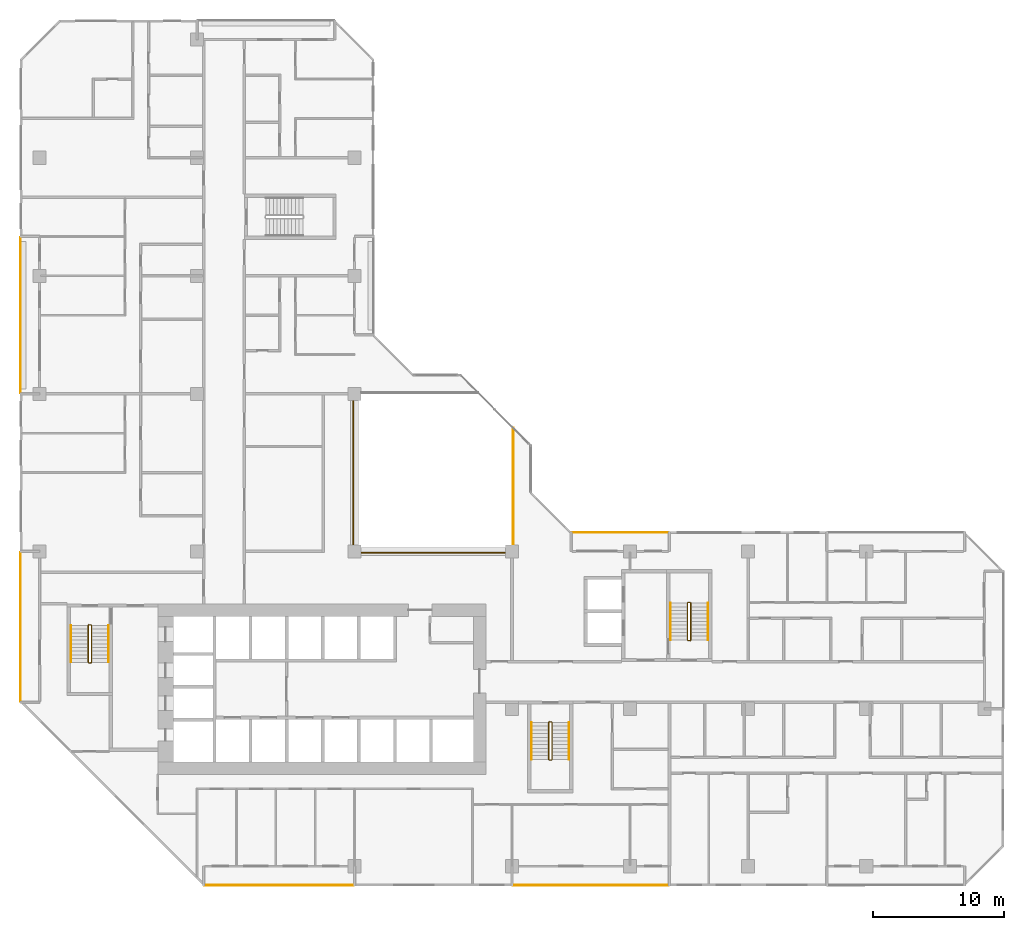
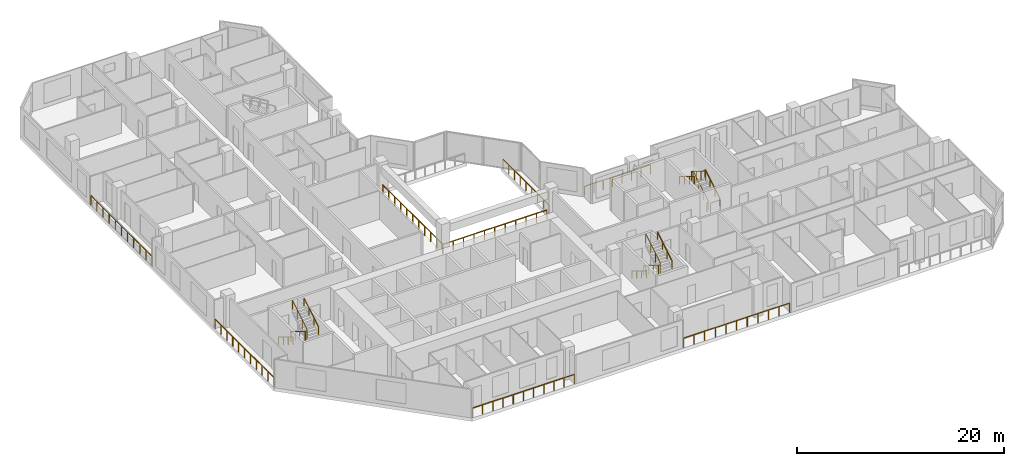
# One storey, part 14 of 15: 16 railings.
"""IFC4 building model written with IfcOpenShell, lengths in metres."""

from ifc_helpers import new_model, si_unit, direction, frame, origin, origin_2d, place, context, subcontext, project, spatial, rectangle, extrude, material, type_object, element, save


model = new_model("IFC4")

# Units and contexts
model_context = context("Model", 3, precision=1e-05, world=origin(), true_north=direction((0.0, 1.0)))
body_context = subcontext(model_context, "Body", "Model", "MODEL_VIEW")
ifc_project = project(units=[si_unit("LENGTHUNIT", "METRE"), si_unit("AREAUNIT", "SQUARE_METRE"), si_unit("VOLUMEUNIT", "CUBIC_METRE"), si_unit("PLANEANGLEUNIT", "RADIAN"), si_unit("MASSUNIT", "GRAM", prefix="KILO")], contexts=[model_context])

# Site, building, storey
site_placement = place(None, origin())
site = spatial("IfcSite", under=ifc_project, at=site_placement, CompositionType="ELEMENT")
building_placement = place(site_placement, origin())
building = spatial("IfcBuilding", under=site, at=building_placement, Name="Chenar Terraces", CompositionType="ELEMENT")
storey_placement = place(building_placement, frame((0.0, 0.0, 118.14990234375)))
storey = spatial("IfcBuildingStorey", under=building, at=storey_placement, Name="L27", CompositionType="ELEMENT", Elevation=118.14990234375)

# Railings
ifc_material_1 = material(Name="Powder-coated steel", Category="steel")
railing_type_1 = type_object("IfcRailingType", Name="Guard 1100 steel rail with glass infill", PredefinedType="GUARDRAIL", material=ifc_material_1)
railing_1_placement = place(storey_placement, frame((23.89990234375, 35.5, 0.0)))
element("IfcRailing", 1, at=railing_1_placement, inside=storey, type_object=railing_type_1, Name="Guard L27-1", PredefinedType="GUARDRAIL", context=body_context, shape_type="SweptSolid", body=[
    extrude(rectangle(XDim=0.06005859375, YDim=0.06005859375, at=origin_2d()), frame((0.0, 0.0, 1.070068359375), z_axis=(0.0, -1.0, 0.0), x_axis=(1.0, 0.0, 0.0)), (0.0, 0.0, 1.0), 11.60009765625),
    extrude(rectangle(XDim=0.06005859375, YDim=0.06005859375, at=origin_2d()), frame((0.0, -11.60009765625, 1.070068359375), z_axis=(1.0, 0.0, 0.0), x_axis=(0.0, 1.0, 0.0)), (0.0, 0.0, 1.0), 11.60009765625),
    extrude(rectangle(XDim=0.050048828125, YDim=0.050048828125, at=origin_2d()), origin(), (0.0, 0.0, 1.0), 1.0400390625),
    extrude(rectangle(XDim=0.050048828125, YDim=0.050048828125, at=origin_2d()), frame((0.0, -1.159912109375, 0.0)), (0.0, 0.0, 1.0), 1.0400390625),
    extrude(rectangle(XDim=0.050048828125, YDim=0.050048828125, at=origin_2d()), frame((0.0, -2.320068359375, 0.0)), (0.0, 0.0, 1.0), 1.0400390625),
    extrude(rectangle(XDim=0.050048828125, YDim=0.050048828125, at=origin_2d()), frame((0.0, -3.47998046875, 0.0)), (0.0, 0.0, 1.0), 1.0400390625),
    extrude(rectangle(XDim=0.050048828125, YDim=0.050048828125, at=origin_2d()), frame((0.0, -4.64013671875, 0.0)), (0.0, 0.0, 1.0), 1.0400390625),
    extrude(rectangle(XDim=0.050048828125, YDim=0.050048828125, at=origin_2d()), frame((0.0, -5.800048828125, 0.0)), (0.0, 0.0, 1.0), 1.0400390625),
    extrude(rectangle(XDim=0.050048828125, YDim=0.050048828125, at=origin_2d()), frame((0.0, -6.9599609375, 0.0)), (0.0, 0.0, 1.0), 1.0400390625),
    extrude(rectangle(XDim=0.050048828125, YDim=0.050048828125, at=origin_2d()), frame((0.0, -8.1201171875, 0.0)), (0.0, 0.0, 1.0), 1.0400390625),
    extrude(rectangle(XDim=0.050048828125, YDim=0.050048828125, at=origin_2d()), frame((0.0, -9.280029296875, 0.0)), (0.0, 0.0, 1.0), 1.0400390625),
    extrude(rectangle(XDim=0.050048828125, YDim=0.050048828125, at=origin_2d()), frame((0.0, -10.440185546875, 0.0)), (0.0, 0.0, 1.0), 1.0400390625),
    extrude(rectangle(XDim=0.050048828125, YDim=0.050048828125, at=origin_2d()), frame((0.0, -11.60009765625, 0.0)), (0.0, 0.0, 1.0), 1.0400390625),
    extrude(rectangle(XDim=0.050048828125, YDim=0.050048828125, at=origin_2d()), frame((1.159912109375, -11.60009765625, 0.0)), (0.0, 0.0, 1.0), 1.0400390625),
    extrude(rectangle(XDim=0.050048828125, YDim=0.050048828125, at=origin_2d()), frame((2.320068359375, -11.60009765625, 0.0)), (0.0, 0.0, 1.0), 1.0400390625),
    extrude(rectangle(XDim=0.050048828125, YDim=0.050048828125, at=origin_2d()), frame((3.47998046875, -11.60009765625, 0.0)), (0.0, 0.0, 1.0), 1.0400390625),
    extrude(rectangle(XDim=0.050048828125, YDim=0.050048828125, at=origin_2d()), frame((4.64013671875, -11.60009765625, 0.0)), (0.0, 0.0, 1.0), 1.0400390625),
    extrude(rectangle(XDim=0.050048828125, YDim=0.050048828125, at=origin_2d()), frame((5.800048828125, -11.60009765625, 0.0)), (0.0, 0.0, 1.0), 1.0400390625),
    extrude(rectangle(XDim=0.050048828125, YDim=0.050048828125, at=origin_2d()), frame((6.9599609375, -11.60009765625, 0.0)), (0.0, 0.0, 1.0), 1.0400390625),
    extrude(rectangle(XDim=0.050048828125, YDim=0.050048828125, at=origin_2d()), frame((8.1201171875, -11.60009765625, 0.0)), (0.0, 0.0, 1.0), 1.0400390625),
    extrude(rectangle(XDim=0.050048828125, YDim=0.050048828125, at=origin_2d()), frame((9.280029296875, -11.60009765625, 0.0)), (0.0, 0.0, 1.0), 1.0400390625),
    extrude(rectangle(XDim=0.050048828125, YDim=0.050048828125, at=origin_2d()), frame((10.440185546875, -11.60009765625, 0.0)), (0.0, 0.0, 1.0), 1.0400390625),
    extrude(rectangle(XDim=0.050048828125, YDim=0.050048828125, at=origin_2d()), frame((11.60009765625, -11.60009765625, 0.0)), (0.0, 0.0, 1.0), 1.0400390625),
])
railing_2_placement = place(storey_placement, frame((36.10009765625, 24.550048828125, 0.0)))
element("IfcRailing", 2, at=railing_2_placement, inside=storey, type_object=railing_type_1, Name="Guard L27-3", PredefinedType="GUARDRAIL", context=body_context, shape_type="SweptSolid", body=[
    extrude(rectangle(XDim=0.06005859375, YDim=0.06005859375, at=origin_2d()), frame((0.0, 0.0, 1.070068359375), z_axis=(0.0, 1.0, 0.0), x_axis=(-1.0, 0.0, 0.0)), (0.0, 0.0, 1.0), 8.849853515625),
    extrude(rectangle(XDim=0.050048828125, YDim=0.050048828125, at=origin_2d()), origin(), (0.0, 0.0, 1.0), 1.0400390625),
    extrude(rectangle(XDim=0.050048828125, YDim=0.050048828125, at=origin_2d()), frame((0.0, 1.106201171875, 0.0)), (0.0, 0.0, 1.0), 1.0400390625),
    extrude(rectangle(XDim=0.050048828125, YDim=0.050048828125, at=origin_2d()), frame((0.0, 2.21240234375, 0.0)), (0.0, 0.0, 1.0), 1.0400390625),
    extrude(rectangle(XDim=0.050048828125, YDim=0.050048828125, at=origin_2d()), frame((0.0, 3.318603515625, 0.0)), (0.0, 0.0, 1.0), 1.0400390625),
    extrude(rectangle(XDim=0.050048828125, YDim=0.050048828125, at=origin_2d()), frame((0.0, 4.4248046875, 0.0)), (0.0, 0.0, 1.0), 1.0400390625),
    extrude(rectangle(XDim=0.050048828125, YDim=0.050048828125, at=origin_2d()), frame((0.0, 5.53125, 0.0)), (0.0, 0.0, 1.0), 1.0400390625),
    extrude(rectangle(XDim=0.050048828125, YDim=0.050048828125, at=origin_2d()), frame((0.0, 6.637451171875, 0.0)), (0.0, 0.0, 1.0), 1.0400390625),
    extrude(rectangle(XDim=0.050048828125, YDim=0.050048828125, at=origin_2d()), frame((0.0, 7.74365234375, 0.0)), (0.0, 0.0, 1.0), 1.0400390625),
    extrude(rectangle(XDim=0.050048828125, YDim=0.050048828125, at=origin_2d()), frame((0.0, 8.849853515625, 0.0)), (0.0, 0.0, 1.0), 1.0400390625),
])
ifc_material_2 = material(Name="Stainless steel and glass", Category="steel")
railing_type_2 = type_object("IfcRailingType", Name="Loggia guard 1150", PredefinedType="GUARDRAIL", material=ifc_material_2)
railing_3_placement = place(storey_placement, frame((47.925048828125, 25.449951171875, 0.0)))
element("IfcRailing", 3, at=railing_3_placement, inside=storey, type_object=railing_type_2, Name="Loggia guard", PredefinedType="GUARDRAIL", context=body_context, shape_type="SweptSolid", body=[
    extrude(rectangle(XDim=0.048095703125, YDim=0.048095703125, at=origin_2d()), frame((0.0, 0.0, 1.1259765625), z_axis=(-1.0, 0.0, 0.0), x_axis=(0.0, -1.0, 0.0)), (0.0, 0.0, 1.0), 7.35009765625),
    extrude(rectangle(XDim=0.0419921875, YDim=0.0419921875, at=origin_2d()), origin(), (0.0, 0.0, 1.0), 1.101806640625),
    extrude(rectangle(XDim=0.0419921875, YDim=0.0419921875, at=origin_2d()), frame((-1.050048828125, 0.0, 0.0)), (0.0, 0.0, 1.0), 1.101806640625),
    extrude(rectangle(XDim=0.0419921875, YDim=0.0419921875, at=origin_2d()), frame((-2.10009765625, 0.0, 0.0)), (0.0, 0.0, 1.0), 1.101806640625),
    extrude(rectangle(XDim=0.0419921875, YDim=0.0419921875, at=origin_2d()), frame((-3.150146484375, 0.0, 0.0)), (0.0, 0.0, 1.0), 1.101806640625),
    extrude(rectangle(XDim=0.0419921875, YDim=0.0419921875, at=origin_2d()), frame((-4.199951171875, 0.0, 0.0)), (0.0, 0.0, 1.0), 1.101806640625),
    extrude(rectangle(XDim=0.0419921875, YDim=0.0419921875, at=origin_2d()), frame((-5.25, 0.0, 0.0)), (0.0, 0.0, 1.0), 1.101806640625),
    extrude(rectangle(XDim=0.0419921875, YDim=0.0419921875, at=origin_2d()), frame((-6.300048828125, 0.0, 0.0)), (0.0, 0.0, 1.0), 1.101806640625),
    extrude(rectangle(XDim=0.0419921875, YDim=0.0419921875, at=origin_2d()), frame((-7.35009765625, 0.0, 0.0)), (0.0, 0.0, 1.0), 1.101806640625),
])
railing_4_placement = place(storey_placement, frame((12.574951171875, -1.449951171875, 0.0)))
element("IfcRailing", 4, at=railing_4_placement, inside=storey, type_object=railing_type_2, Name="Loggia guard", PredefinedType="GUARDRAIL", context=body_context, shape_type="SweptSolid", body=[
    extrude(rectangle(XDim=0.048095703125, YDim=0.048095703125, at=origin_2d()), frame((0.0, 0.0, 1.1259765625), z_axis=(1.0, 0.0, 0.0), x_axis=(0.0, 1.0, 0.0)), (0.0, 0.0, 1.0), 11.35009765625),
    extrude(rectangle(XDim=0.0419921875, YDim=0.0419921875, at=origin_2d()), origin(), (0.0, 0.0, 1.0), 1.101806640625),
    extrude(rectangle(XDim=0.0419921875, YDim=0.0419921875, at=origin_2d()), frame((1.135009765625, 0.0, 0.0)), (0.0, 0.0, 1.0), 1.101806640625),
    extrude(rectangle(XDim=0.0419921875, YDim=0.0419921875, at=origin_2d()), frame((2.27001953125, 0.0, 0.0)), (0.0, 0.0, 1.0), 1.101806640625),
    extrude(rectangle(XDim=0.0419921875, YDim=0.0419921875, at=origin_2d()), frame((3.405029296875, 0.0, 0.0)), (0.0, 0.0, 1.0), 1.101806640625),
    extrude(rectangle(XDim=0.0419921875, YDim=0.0419921875, at=origin_2d()), frame((4.5400390625, 0.0, 0.0)), (0.0, 0.0, 1.0), 1.101806640625),
    extrude(rectangle(XDim=0.0419921875, YDim=0.0419921875, at=origin_2d()), frame((5.675048828125, 0.0, 0.0)), (0.0, 0.0, 1.0), 1.101806640625),
    extrude(rectangle(XDim=0.0419921875, YDim=0.0419921875, at=origin_2d()), frame((6.81005859375, 0.0, 0.0)), (0.0, 0.0, 1.0), 1.101806640625),
    extrude(rectangle(XDim=0.0419921875, YDim=0.0419921875, at=origin_2d()), frame((7.945068359375, 0.0, 0.0)), (0.0, 0.0, 1.0), 1.101806640625),
    extrude(rectangle(XDim=0.0419921875, YDim=0.0419921875, at=origin_2d()), frame((9.080078125, 0.0, 0.0)), (0.0, 0.0, 1.0), 1.101806640625),
    extrude(rectangle(XDim=0.0419921875, YDim=0.0419921875, at=origin_2d()), frame((10.215087890625, 0.0, 0.0)), (0.0, 0.0, 1.0), 1.101806640625),
    extrude(rectangle(XDim=0.0419921875, YDim=0.0419921875, at=origin_2d()), frame((11.35009765625, 0.0, 0.0)), (0.0, 0.0, 1.0), 1.101806640625),
])
railing_5_placement = place(storey_placement, frame((36.074951171875, -1.449951171875, 0.0)))
element("IfcRailing", 5, at=railing_5_placement, inside=storey, type_object=railing_type_2, Name="Loggia guard", PredefinedType="GUARDRAIL", context=body_context, shape_type="SweptSolid", body=[
    extrude(rectangle(XDim=0.048095703125, YDim=0.048095703125, at=origin_2d()), frame((0.0, 0.0, 1.1259765625), z_axis=(1.0, 0.0, 0.0), x_axis=(0.0, 1.0, 0.0)), (0.0, 0.0, 1.0), 11.85009765625),
    extrude(rectangle(XDim=0.0419921875, YDim=0.0419921875, at=origin_2d()), origin(), (0.0, 0.0, 1.0), 1.101806640625),
    extrude(rectangle(XDim=0.0419921875, YDim=0.0419921875, at=origin_2d()), frame((1.18505859375, 0.0, 0.0)), (0.0, 0.0, 1.0), 1.101806640625),
    extrude(rectangle(XDim=0.0419921875, YDim=0.0419921875, at=origin_2d()), frame((2.3701171875, 0.0, 0.0)), (0.0, 0.0, 1.0), 1.101806640625),
    extrude(rectangle(XDim=0.0419921875, YDim=0.0419921875, at=origin_2d()), frame((3.554931640625, 0.0, 0.0)), (0.0, 0.0, 1.0), 1.101806640625),
    extrude(rectangle(XDim=0.0419921875, YDim=0.0419921875, at=origin_2d()), frame((4.739990234375, 0.0, 0.0)), (0.0, 0.0, 1.0), 1.101806640625),
    extrude(rectangle(XDim=0.0419921875, YDim=0.0419921875, at=origin_2d()), frame((5.925048828125, 0.0, 0.0)), (0.0, 0.0, 1.0), 1.101806640625),
    extrude(rectangle(XDim=0.0419921875, YDim=0.0419921875, at=origin_2d()), frame((7.110107421875, 0.0, 0.0)), (0.0, 0.0, 1.0), 1.101806640625),
    extrude(rectangle(XDim=0.0419921875, YDim=0.0419921875, at=origin_2d()), frame((8.295166015625, 0.0, 0.0)), (0.0, 0.0, 1.0), 1.101806640625),
    extrude(rectangle(XDim=0.0419921875, YDim=0.0419921875, at=origin_2d()), frame((9.47998046875, 0.0, 0.0)), (0.0, 0.0, 1.0), 1.101806640625),
    extrude(rectangle(XDim=0.0419921875, YDim=0.0419921875, at=origin_2d()), frame((10.6650390625, 0.0, 0.0)), (0.0, 0.0, 1.0), 1.101806640625),
    extrude(rectangle(XDim=0.0419921875, YDim=0.0419921875, at=origin_2d()), frame((11.85009765625, 0.0, 0.0)), (0.0, 0.0, 1.0), 1.101806640625),
])
railing_6_placement = place(storey_placement, frame((-1.449951171875, 47.925048828125, 0.0)))
element("IfcRailing", 6, at=railing_6_placement, inside=storey, type_object=railing_type_2, Name="Loggia guard", PredefinedType="GUARDRAIL", context=body_context, shape_type="SweptSolid", body=[
    extrude(rectangle(XDim=0.048095703125, YDim=0.048095703125, at=origin_2d()), frame((0.0, 0.0, 1.1259765625), z_axis=(0.0, -1.0, 0.0), x_axis=(1.0, 0.0, 0.0)), (0.0, 0.0, 1.0), 11.85009765625),
    extrude(rectangle(XDim=0.0419921875, YDim=0.0419921875, at=origin_2d()), origin(), (0.0, 0.0, 1.0), 1.101806640625),
    extrude(rectangle(XDim=0.0419921875, YDim=0.0419921875, at=origin_2d()), frame((0.0, -1.18505859375, 0.0)), (0.0, 0.0, 1.0), 1.101806640625),
    extrude(rectangle(XDim=0.0419921875, YDim=0.0419921875, at=origin_2d()), frame((0.0, -2.3701171875, 0.0)), (0.0, 0.0, 1.0), 1.101806640625),
    extrude(rectangle(XDim=0.0419921875, YDim=0.0419921875, at=origin_2d()), frame((0.0, -3.554931640625, 0.0)), (0.0, 0.0, 1.0), 1.101806640625),
    extrude(rectangle(XDim=0.0419921875, YDim=0.0419921875, at=origin_2d()), frame((0.0, -4.739990234375, 0.0)), (0.0, 0.0, 1.0), 1.101806640625),
    extrude(rectangle(XDim=0.0419921875, YDim=0.0419921875, at=origin_2d()), frame((0.0, -5.925048828125, 0.0)), (0.0, 0.0, 1.0), 1.101806640625),
    extrude(rectangle(XDim=0.0419921875, YDim=0.0419921875, at=origin_2d()), frame((0.0, -7.110107421875, 0.0)), (0.0, 0.0, 1.0), 1.101806640625),
    extrude(rectangle(XDim=0.0419921875, YDim=0.0419921875, at=origin_2d()), frame((0.0, -8.295166015625, 0.0)), (0.0, 0.0, 1.0), 1.101806640625),
    extrude(rectangle(XDim=0.0419921875, YDim=0.0419921875, at=origin_2d()), frame((0.0, -9.47998046875, 0.0)), (0.0, 0.0, 1.0), 1.101806640625),
    extrude(rectangle(XDim=0.0419921875, YDim=0.0419921875, at=origin_2d()), frame((0.0, -10.6650390625, 0.0)), (0.0, 0.0, 1.0), 1.101806640625),
    extrude(rectangle(XDim=0.0419921875, YDim=0.0419921875, at=origin_2d()), frame((0.0, -11.85009765625, 0.0)), (0.0, 0.0, 1.0), 1.101806640625),
])
railing_7_placement = place(storey_placement, frame((-1.449951171875, 23.925048828125, 0.0)))
element("IfcRailing", 7, at=railing_7_placement, inside=storey, type_object=railing_type_2, Name="Loggia guard", PredefinedType="GUARDRAIL", context=body_context, shape_type="SweptSolid", body=[
    extrude(rectangle(XDim=0.048095703125, YDim=0.048095703125, at=origin_2d()), frame((0.0, 0.0, 1.1259765625), z_axis=(0.0, -1.0, 0.0), x_axis=(1.0, 0.0, 0.0)), (0.0, 0.0, 1.0), 11.35009765625),
    extrude(rectangle(XDim=0.0419921875, YDim=0.0419921875, at=origin_2d()), origin(), (0.0, 0.0, 1.0), 1.101806640625),
    extrude(rectangle(XDim=0.0419921875, YDim=0.0419921875, at=origin_2d()), frame((0.0, -1.135009765625, 0.0)), (0.0, 0.0, 1.0), 1.101806640625),
    extrude(rectangle(XDim=0.0419921875, YDim=0.0419921875, at=origin_2d()), frame((0.0, -2.27001953125, 0.0)), (0.0, 0.0, 1.0), 1.101806640625),
    extrude(rectangle(XDim=0.0419921875, YDim=0.0419921875, at=origin_2d()), frame((0.0, -3.405029296875, 0.0)), (0.0, 0.0, 1.0), 1.101806640625),
    extrude(rectangle(XDim=0.0419921875, YDim=0.0419921875, at=origin_2d()), frame((0.0, -4.5400390625, 0.0)), (0.0, 0.0, 1.0), 1.101806640625),
    extrude(rectangle(XDim=0.0419921875, YDim=0.0419921875, at=origin_2d()), frame((0.0, -5.675048828125, 0.0)), (0.0, 0.0, 1.0), 1.101806640625),
    extrude(rectangle(XDim=0.0419921875, YDim=0.0419921875, at=origin_2d()), frame((0.0, -6.81005859375, 0.0)), (0.0, 0.0, 1.0), 1.101806640625),
    extrude(rectangle(XDim=0.0419921875, YDim=0.0419921875, at=origin_2d()), frame((0.0, -7.945068359375, 0.0)), (0.0, 0.0, 1.0), 1.101806640625),
    extrude(rectangle(XDim=0.0419921875, YDim=0.0419921875, at=origin_2d()), frame((0.0, -9.080078125, 0.0)), (0.0, 0.0, 1.0), 1.101806640625),
    extrude(rectangle(XDim=0.0419921875, YDim=0.0419921875, at=origin_2d()), frame((0.0, -10.215087890625, 0.0)), (0.0, 0.0, 1.0), 1.101806640625),
    extrude(rectangle(XDim=0.0419921875, YDim=0.0419921875, at=origin_2d()), frame((0.0, -11.35009765625, 0.0)), (0.0, 0.0, 1.0), 1.101806640625),
])
ifc_material_3 = material(Name="Powder-coated steel", Category="steel")
railing_type_3 = type_object("IfcRailingType", Name="Stair guard 1100", PredefinedType="GUARDRAIL", material=ifc_material_3)
railing_8_placement = place(storey_placement, frame((3.949951171875, 18.35009765625, 3.75)))
element("IfcRailing", 8, at=railing_8_placement, inside=storey, type_object=railing_type_3, Name="L27 ST1 stair guard 1", PredefinedType="GUARDRAIL", context=body_context, shape_type="SweptSolid", body=[
    extrude(rectangle(XDim=0.048095703125, YDim=0.048095703125, at=origin_2d()), frame((0.0, 0.0, 1.076171875), z_axis=(0.0, -0.854202870247, -0.519939858505), x_axis=(1.0, 0.0, 0.0)), (0.0, 0.0, 1.0), 3.278076171875),
    extrude(rectangle(XDim=0.048095703125, YDim=0.048095703125, at=origin_2d()), frame((0.0, -2.800048828125, -0.62841796875), z_axis=(-0.270899902878, -0.270899902878, -0.923702595667), x_axis=(0.707106781187, -0.707106781187, 0.0)), (0.0, 0.0, 1.0), 0.184814453125),
    extrude(rectangle(XDim=0.048095703125, YDim=0.048095703125, at=origin_2d()), frame((-0.050048828125, -2.85009765625, -0.798828125), z_axis=(-1.0, 0.0, 0.0), x_axis=(0.0, -1.0, 0.0)), (0.0, 0.0, 1.0), 0.14990234375),
    extrude(rectangle(XDim=0.048095703125, YDim=0.048095703125, at=origin_2d()), frame((-0.199951171875, -2.85009765625, -0.798828125), z_axis=(-0.707106781187, 0.707106781187, 0.0), x_axis=(-0.707106781187, -0.707106781187, 0.0)), (0.0, 0.0, 1.0), 0.07080078125),
    extrude(rectangle(XDim=0.048095703125, YDim=0.048095703125, at=origin_2d()), frame((-0.25, -2.800048828125, -0.798828125), z_axis=(0.0, 0.854202870247, -0.519939858505), x_axis=(-1.0, 0.0, 0.0)), (0.0, 0.0, 1.0), 3.278076171875),
    extrude(rectangle(XDim=0.048095703125, YDim=0.048095703125, at=origin_2d()), frame((-0.25, 0.0, -2.50341796875), z_axis=(0.270996696079, 0.269674760976, -0.924032636873), x_axis=(-0.705375805398, 0.708833529934, 0.0)), (0.0, 0.0, 1.0), 0.1845703125),
    extrude(rectangle(XDim=0.048095703125, YDim=0.048095703125, at=origin_2d()), frame((-0.199951171875, 0.0498046875, -2.673828125), z_axis=(1.0, 0.0, 0.0), x_axis=(0.0, 1.0, 0.0)), (0.0, 0.0, 1.0), 0.14990234375),
    extrude(rectangle(XDim=0.0419921875, YDim=0.0419921875, at=origin_2d()), origin(), (0.0, 0.0, 1.0), 1.052001953125),
    extrude(rectangle(XDim=0.0419921875, YDim=0.0419921875, at=origin_2d()), frame((0.0, -0.933349609375, -0.568115234375)), (0.0, 0.0, 1.0), 1.052001953125),
    extrude(rectangle(XDim=0.0419921875, YDim=0.0419921875, at=origin_2d()), frame((0.0, -1.86669921875, -1.13623046875)), (0.0, 0.0, 1.0), 1.052001953125),
    extrude(rectangle(XDim=0.0419921875, YDim=0.0419921875, at=origin_2d()), frame((0.0, -2.800048828125, -1.704345703125)), (0.0, 0.0, 1.0), 1.052001953125),
    extrude(rectangle(XDim=0.0419921875, YDim=0.0419921875, at=origin_2d()), frame((-0.050048828125, -2.85009765625, -1.875)), (0.0, 0.0, 1.0), 1.052001953125),
    extrude(rectangle(XDim=0.0419921875, YDim=0.0419921875, at=origin_2d()), frame((-0.199951171875, -2.85009765625, -1.875)), (0.0, 0.0, 1.0), 1.052001953125),
    extrude(rectangle(XDim=0.0419921875, YDim=0.0419921875, at=origin_2d()), frame((-0.25, -2.800048828125, -1.875)), (0.0, 0.0, 1.0), 1.052001953125),
    extrude(rectangle(XDim=0.0419921875, YDim=0.0419921875, at=origin_2d()), frame((-0.25, -1.86669921875, -2.443115234375)), (0.0, 0.0, 1.0), 1.052001953125),
    extrude(rectangle(XDim=0.0419921875, YDim=0.0419921875, at=origin_2d()), frame((-0.25, -0.933349609375, -3.01123046875)), (0.0, 0.0, 1.0), 1.052001953125),
    extrude(rectangle(XDim=0.0419921875, YDim=0.0419921875, at=origin_2d()), frame((-0.25, 0.0, -3.579345703125)), (0.0, 0.0, 1.0), 1.052001953125),
    extrude(rectangle(XDim=0.0419921875, YDim=0.0419921875, at=origin_2d()), frame((-0.199951171875, 0.0498046875, -3.75)), (0.0, 0.0, 1.0), 1.052001953125),
    extrude(rectangle(XDim=0.0419921875, YDim=0.0419921875, at=origin_2d()), frame((-0.050048828125, 0.0498046875, -3.75)), (0.0, 0.0, 1.0), 1.052001953125),
])
railing_9_placement = place(storey_placement, frame((39.050048828125, 10.949951171875, 3.75)))
element("IfcRailing", 9, at=railing_9_placement, inside=storey, type_object=railing_type_3, Name="L27 ST2 stair guard 1", PredefinedType="GUARDRAIL", context=body_context, shape_type="SweptSolid", body=[
    extrude(rectangle(XDim=0.048095703125, YDim=0.048095703125, at=origin_2d()), frame((0.0, 0.0, 1.076171875), z_axis=(0.0, -0.854202870247, -0.519939858505), x_axis=(1.0, 0.0, 0.0)), (0.0, 0.0, 1.0), 3.278076171875),
    extrude(rectangle(XDim=0.048095703125, YDim=0.048095703125, at=origin_2d()), frame((0.0, -2.800048828125, -0.62841796875), z_axis=(-0.270996696079, -0.269674760976, -0.924032636873), x_axis=(0.705375805398, -0.708833529934, 0.0)), (0.0, 0.0, 1.0), 0.1845703125),
    extrude(rectangle(XDim=0.048095703125, YDim=0.048095703125, at=origin_2d()), frame((-0.050048828125, -2.849853515625, -0.798828125), z_axis=(-1.0, 0.0, 0.0), x_axis=(0.0, -1.0, 0.0)), (0.0, 0.0, 1.0), 0.14990234375),
    extrude(rectangle(XDim=0.048095703125, YDim=0.048095703125, at=origin_2d()), frame((-0.199951171875, -2.849853515625, -0.798828125), z_axis=(-0.708833529934, 0.705375805398, 0.0), x_axis=(-0.705375805398, -0.708833529934, 0.0)), (0.0, 0.0, 1.0), 0.070556640625),
    extrude(rectangle(XDim=0.048095703125, YDim=0.048095703125, at=origin_2d()), frame((-0.25, -2.800048828125, -0.798828125), z_axis=(0.0, 0.854202870247, -0.519939858505), x_axis=(-1.0, 0.0, 0.0)), (0.0, 0.0, 1.0), 3.278076171875),
    extrude(rectangle(XDim=0.048095703125, YDim=0.048095703125, at=origin_2d()), frame((-0.25, 0.0, -2.50341796875), z_axis=(0.270899902878, 0.270899902878, -0.923702595667), x_axis=(-0.707106781187, 0.707106781187, 0.0)), (0.0, 0.0, 1.0), 0.184814453125),
    extrude(rectangle(XDim=0.048095703125, YDim=0.048095703125, at=origin_2d()), frame((-0.199951171875, 0.050048828125, -2.673828125), z_axis=(1.0, 0.0, 0.0), x_axis=(0.0, 1.0, 0.0)), (0.0, 0.0, 1.0), 0.14990234375),
    extrude(rectangle(XDim=0.0419921875, YDim=0.0419921875, at=origin_2d()), origin(), (0.0, 0.0, 1.0), 1.052001953125),
    extrude(rectangle(XDim=0.0419921875, YDim=0.0419921875, at=origin_2d()), frame((0.0, -0.933349609375, -0.568115234375)), (0.0, 0.0, 1.0), 1.052001953125),
    extrude(rectangle(XDim=0.0419921875, YDim=0.0419921875, at=origin_2d()), frame((0.0, -1.86669921875, -1.13623046875)), (0.0, 0.0, 1.0), 1.052001953125),
    extrude(rectangle(XDim=0.0419921875, YDim=0.0419921875, at=origin_2d()), frame((0.0, -2.800048828125, -1.704345703125)), (0.0, 0.0, 1.0), 1.052001953125),
    extrude(rectangle(XDim=0.0419921875, YDim=0.0419921875, at=origin_2d()), frame((-0.050048828125, -2.849853515625, -1.875)), (0.0, 0.0, 1.0), 1.052001953125),
    extrude(rectangle(XDim=0.0419921875, YDim=0.0419921875, at=origin_2d()), frame((-0.199951171875, -2.849853515625, -1.875)), (0.0, 0.0, 1.0), 1.052001953125),
    extrude(rectangle(XDim=0.0419921875, YDim=0.0419921875, at=origin_2d()), frame((-0.25, -2.800048828125, -1.875)), (0.0, 0.0, 1.0), 1.052001953125),
    extrude(rectangle(XDim=0.0419921875, YDim=0.0419921875, at=origin_2d()), frame((-0.25, -1.86669921875, -2.443115234375)), (0.0, 0.0, 1.0), 1.052001953125),
    extrude(rectangle(XDim=0.0419921875, YDim=0.0419921875, at=origin_2d()), frame((-0.25, -0.933349609375, -3.01123046875)), (0.0, 0.0, 1.0), 1.052001953125),
    extrude(rectangle(XDim=0.0419921875, YDim=0.0419921875, at=origin_2d()), frame((-0.25, 0.0, -3.579345703125)), (0.0, 0.0, 1.0), 1.052001953125),
    extrude(rectangle(XDim=0.0419921875, YDim=0.0419921875, at=origin_2d()), frame((-0.199951171875, 0.050048828125, -3.75)), (0.0, 0.0, 1.0), 1.052001953125),
    extrude(rectangle(XDim=0.0419921875, YDim=0.0419921875, at=origin_2d()), frame((-0.050048828125, 0.050048828125, -3.75)), (0.0, 0.0, 1.0), 1.052001953125),
])
railing_10_placement = place(storey_placement, frame((49.375, 17.25, 3.75)))
element("IfcRailing", 10, at=railing_10_placement, inside=storey, type_object=railing_type_3, Name="L27 ST3 stair guard 1", PredefinedType="GUARDRAIL", context=body_context, shape_type="SweptSolid", body=[
    extrude(rectangle(XDim=0.048095703125, YDim=0.048095703125, at=origin_2d()), frame((0.0, 0.0, 1.076171875), z_axis=(0.0, 0.854202870247, -0.519939858505), x_axis=(-1.0, 0.0, 0.0)), (0.0, 0.0, 1.0), 3.278076171875),
    extrude(rectangle(XDim=0.048095703125, YDim=0.048095703125, at=origin_2d()), frame((0.0, 2.800048828125, -0.62841796875), z_axis=(0.270899902878, 0.270899902878, -0.923702595667), x_axis=(-0.707106781187, 0.707106781187, 0.0)), (0.0, 0.0, 1.0), 0.184814453125),
    extrude(rectangle(XDim=0.048095703125, YDim=0.048095703125, at=origin_2d()), frame((0.050048828125, 2.85009765625, -0.798828125), z_axis=(1.0, 0.0, 0.0), x_axis=(0.0, 1.0, 0.0)), (0.0, 0.0, 1.0), 0.14990234375),
    extrude(rectangle(XDim=0.048095703125, YDim=0.048095703125, at=origin_2d()), frame((0.199951171875, 2.85009765625, -0.798828125), z_axis=(0.707106781187, -0.707106781187, 0.0), x_axis=(0.707106781187, 0.707106781187, 0.0)), (0.0, 0.0, 1.0), 0.07080078125),
    extrude(rectangle(XDim=0.048095703125, YDim=0.048095703125, at=origin_2d()), frame((0.25, 2.800048828125, -0.798828125), z_axis=(0.0, -0.854202870247, -0.519939858505), x_axis=(1.0, 0.0, 0.0)), (0.0, 0.0, 1.0), 3.278076171875),
    extrude(rectangle(XDim=0.048095703125, YDim=0.048095703125, at=origin_2d()), frame((0.25, 0.0, -2.50341796875), z_axis=(-0.270899902878, -0.270899902878, -0.923702595667), x_axis=(0.707106781187, -0.707106781187, 0.0)), (0.0, 0.0, 1.0), 0.184814453125),
    extrude(rectangle(XDim=0.048095703125, YDim=0.048095703125, at=origin_2d()), frame((0.199951171875, -0.050048828125, -2.673828125), z_axis=(-1.0, 0.0, 0.0), x_axis=(0.0, -1.0, 0.0)), (0.0, 0.0, 1.0), 0.14990234375),
    extrude(rectangle(XDim=0.0419921875, YDim=0.0419921875, at=origin_2d()), origin(), (0.0, 0.0, 1.0), 1.052001953125),
    extrude(rectangle(XDim=0.0419921875, YDim=0.0419921875, at=origin_2d()), frame((0.0, 0.933349609375, -0.568115234375)), (0.0, 0.0, 1.0), 1.052001953125),
    extrude(rectangle(XDim=0.0419921875, YDim=0.0419921875, at=origin_2d()), frame((0.0, 1.86669921875, -1.13623046875)), (0.0, 0.0, 1.0), 1.052001953125),
    extrude(rectangle(XDim=0.0419921875, YDim=0.0419921875, at=origin_2d()), frame((0.0, 2.800048828125, -1.704345703125)), (0.0, 0.0, 1.0), 1.052001953125),
    extrude(rectangle(XDim=0.0419921875, YDim=0.0419921875, at=origin_2d()), frame((0.050048828125, 2.85009765625, -1.875)), (0.0, 0.0, 1.0), 1.052001953125),
    extrude(rectangle(XDim=0.0419921875, YDim=0.0419921875, at=origin_2d()), frame((0.199951171875, 2.85009765625, -1.875)), (0.0, 0.0, 1.0), 1.052001953125),
    extrude(rectangle(XDim=0.0419921875, YDim=0.0419921875, at=origin_2d()), frame((0.25, 2.800048828125, -1.875)), (0.0, 0.0, 1.0), 1.052001953125),
    extrude(rectangle(XDim=0.0419921875, YDim=0.0419921875, at=origin_2d()), frame((0.25, 1.86669921875, -2.443115234375)), (0.0, 0.0, 1.0), 1.052001953125),
    extrude(rectangle(XDim=0.0419921875, YDim=0.0419921875, at=origin_2d()), frame((0.25, 0.933349609375, -3.01123046875)), (0.0, 0.0, 1.0), 1.052001953125),
    extrude(rectangle(XDim=0.0419921875, YDim=0.0419921875, at=origin_2d()), frame((0.25, 0.0, -3.579345703125)), (0.0, 0.0, 1.0), 1.052001953125),
    extrude(rectangle(XDim=0.0419921875, YDim=0.0419921875, at=origin_2d()), frame((0.199951171875, -0.050048828125, -3.75)), (0.0, 0.0, 1.0), 1.052001953125),
    extrude(rectangle(XDim=0.0419921875, YDim=0.0419921875, at=origin_2d()), frame((0.050048828125, -0.050048828125, -3.75)), (0.0, 0.0, 1.0), 1.052001953125),
])
ifc_material_4 = material(Name="Powder-coated steel", Category="steel")
railing_type_4 = type_object("IfcRailingType", Name="Stair handrail 900", PredefinedType="HANDRAIL", material=ifc_material_4)
railing_11_placement = place(storey_placement, frame((2.39990234375, 18.35009765625, 0.170654296875)))
element("IfcRailing", 11, at=railing_11_placement, inside=storey, type_object=railing_type_4, Name="L27 ST1 stair handrail 1", PredefinedType="HANDRAIL", context=body_context, shape_type="SweptSolid", body=[
    extrude(rectangle(XDim=0.048095703125, YDim=0.048095703125, at=origin_2d()), frame((0.0, 0.0, 0.8759765625), z_axis=(0.0, -0.854202870247, 0.519939858505), x_axis=(1.0, 0.0, 0.0)), (0.0, 0.0, 1.0), 3.278076171875),
    extrude(rectangle(XDim=0.0419921875, YDim=0.0419921875, at=origin_2d()), origin(), (0.0, 0.0, 1.0), 0.851806640625),
    extrude(rectangle(XDim=0.0419921875, YDim=0.0419921875, at=origin_2d()), frame((0.0, -0.933349609375, 0.568115234375)), (0.0, 0.0, 1.0), 0.851806640625),
    extrude(rectangle(XDim=0.0419921875, YDim=0.0419921875, at=origin_2d()), frame((0.0, -1.86669921875, 1.13623046875)), (0.0, 0.0, 1.0), 0.851806640625),
    extrude(rectangle(XDim=0.0419921875, YDim=0.0419921875, at=origin_2d()), frame((0.0, -2.800048828125, 1.704345703125)), (0.0, 0.0, 1.0), 0.851806640625),
])
railing_12_placement = place(storey_placement, frame((5.25, 15.550048828125, 2.045654296875)))
element("IfcRailing", 12, at=railing_12_placement, inside=storey, type_object=railing_type_4, Name="L27 ST1 stair handrail 2", PredefinedType="HANDRAIL", context=body_context, shape_type="SweptSolid", body=[
    extrude(rectangle(XDim=0.048095703125, YDim=0.048095703125, at=origin_2d()), frame((0.0, 0.0, 0.8759765625), z_axis=(0.0, 0.854202870247, 0.519939858505), x_axis=(-1.0, 0.0, 0.0)), (0.0, 0.0, 1.0), 3.278076171875),
    extrude(rectangle(XDim=0.0419921875, YDim=0.0419921875, at=origin_2d()), origin(), (0.0, 0.0, 1.0), 0.851806640625),
    extrude(rectangle(XDim=0.0419921875, YDim=0.0419921875, at=origin_2d()), frame((0.0, 0.933349609375, 0.568115234375)), (0.0, 0.0, 1.0), 0.851806640625),
    extrude(rectangle(XDim=0.0419921875, YDim=0.0419921875, at=origin_2d()), frame((0.0, 1.86669921875, 1.13623046875)), (0.0, 0.0, 1.0), 0.851806640625),
    extrude(rectangle(XDim=0.0419921875, YDim=0.0419921875, at=origin_2d()), frame((0.0, 2.800048828125, 1.704345703125)), (0.0, 0.0, 1.0), 0.851806640625),
])
railing_13_placement = place(storey_placement, frame((37.5, 10.949951171875, 0.170654296875)))
element("IfcRailing", 13, at=railing_13_placement, inside=storey, type_object=railing_type_4, Name="L27 ST2 stair handrail 1", PredefinedType="HANDRAIL", context=body_context, shape_type="SweptSolid", body=[
    extrude(rectangle(XDim=0.048095703125, YDim=0.048095703125, at=origin_2d()), frame((0.0, 0.0, 0.8759765625), z_axis=(0.0, -0.854202870247, 0.519939858505), x_axis=(1.0, 0.0, 0.0)), (0.0, 0.0, 1.0), 3.278076171875),
    extrude(rectangle(XDim=0.0419921875, YDim=0.0419921875, at=origin_2d()), origin(), (0.0, 0.0, 1.0), 0.851806640625),
    extrude(rectangle(XDim=0.0419921875, YDim=0.0419921875, at=origin_2d()), frame((0.0, -0.933349609375, 0.568115234375)), (0.0, 0.0, 1.0), 0.851806640625),
    extrude(rectangle(XDim=0.0419921875, YDim=0.0419921875, at=origin_2d()), frame((0.0, -1.86669921875, 1.13623046875)), (0.0, 0.0, 1.0), 0.851806640625),
    extrude(rectangle(XDim=0.0419921875, YDim=0.0419921875, at=origin_2d()), frame((0.0, -2.800048828125, 1.704345703125)), (0.0, 0.0, 1.0), 0.851806640625),
])
for number, where, name in (
    (14, (40.35009765625, 8.14990234375, 2.045654296875), "L27 ST2 stair handrail 2"),
    (15, (50.925048828125, 17.25, 0.170654296875), "L27 ST3 stair handrail 1"),
):
    element("IfcRailing", number, at=place(storey_placement, frame(where)), inside=storey, type_object=railing_type_4, Name=name, PredefinedType="HANDRAIL", context=body_context, shape_type="SweptSolid", body=[
        extrude(rectangle(XDim=0.048095703125, YDim=0.048095703125, at=origin_2d()), frame((0.0, 0.0, 0.8759765625), z_axis=(0.0, 0.854202870247, 0.519939858505), x_axis=(-1.0, 0.0, 0.0)), (0.0, 0.0, 1.0), 3.278076171875),
        extrude(rectangle(XDim=0.0419921875, YDim=0.0419921875, at=origin_2d()), origin(), (0.0, 0.0, 1.0), 0.851806640625),
        extrude(rectangle(XDim=0.0419921875, YDim=0.0419921875, at=origin_2d()), frame((0.0, 0.933349609375, 0.568115234375)), (0.0, 0.0, 1.0), 0.851806640625),
        extrude(rectangle(XDim=0.0419921875, YDim=0.0419921875, at=origin_2d()), frame((0.0, 1.86669921875, 1.13623046875)), (0.0, 0.0, 1.0), 0.851806640625),
        extrude(rectangle(XDim=0.0419921875, YDim=0.0419921875, at=origin_2d()), frame((0.0, 2.800048828125, 1.704345703125)), (0.0, 0.0, 1.0), 0.851806640625),
    ])
railing_14_placement = place(storey_placement, frame((48.074951171875, 20.050048828125, 2.045654296875)))
element("IfcRailing", 16, at=railing_14_placement, inside=storey, type_object=railing_type_4, Name="L27 ST3 stair handrail 2", PredefinedType="HANDRAIL", context=body_context, shape_type="SweptSolid", body=[
    extrude(rectangle(XDim=0.048095703125, YDim=0.048095703125, at=origin_2d()), frame((0.0, 0.0, 0.8759765625), z_axis=(0.0, -0.854202870247, 0.519939858505), x_axis=(1.0, 0.0, 0.0)), (0.0, 0.0, 1.0), 3.278076171875),
    extrude(rectangle(XDim=0.0419921875, YDim=0.0419921875, at=origin_2d()), origin(), (0.0, 0.0, 1.0), 0.851806640625),
    extrude(rectangle(XDim=0.0419921875, YDim=0.0419921875, at=origin_2d()), frame((0.0, -0.933349609375, 0.568115234375)), (0.0, 0.0, 1.0), 0.851806640625),
    extrude(rectangle(XDim=0.0419921875, YDim=0.0419921875, at=origin_2d()), frame((0.0, -1.86669921875, 1.13623046875)), (0.0, 0.0, 1.0), 0.851806640625),
    extrude(rectangle(XDim=0.0419921875, YDim=0.0419921875, at=origin_2d()), frame((0.0, -2.800048828125, 1.704345703125)), (0.0, 0.0, 1.0), 0.851806640625),
])

save(model, "model.ifc")
